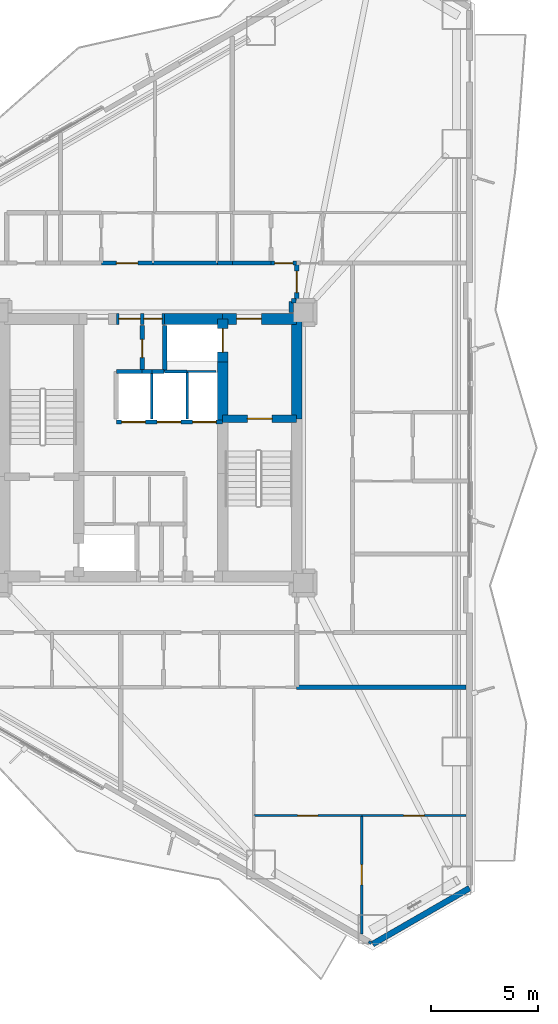
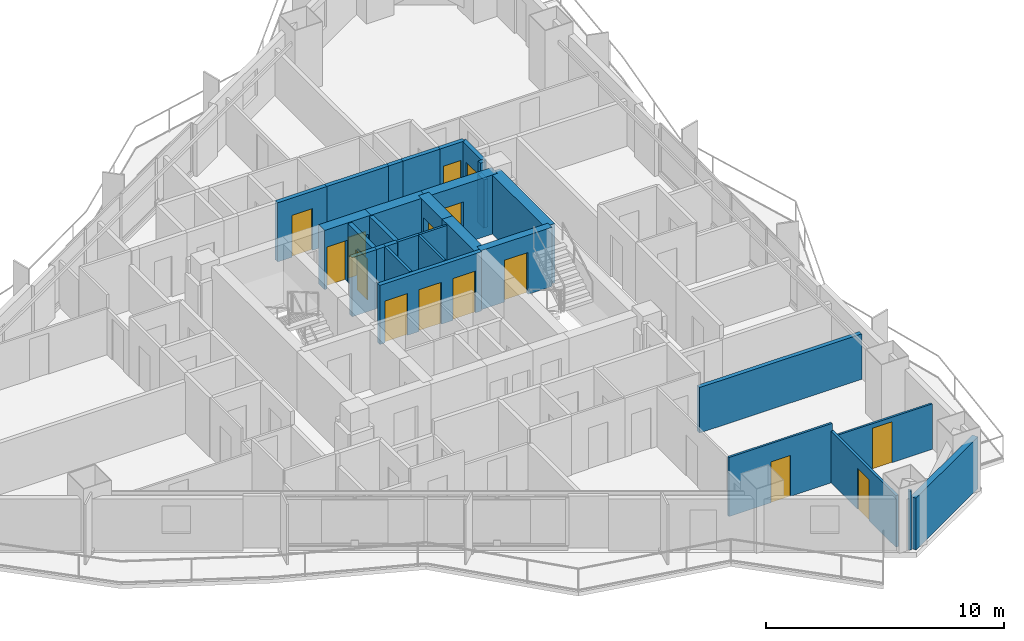
# One storey, part 14 of 18: 31 walls, 15 doors, 15 openings.
"""IFC4 building model written with IfcOpenShell, lengths in metres."""

import ifcopenshell
import ifcopenshell.guid

model = None  # the IFC model being written
_history = None  # IfcOwnerHistory: only IFC2X3 demands one
_inside = {}  # id of a spatial element -> (the spatial element, [elements in it])
_under = {}  # id of a project, library or spatial element -> (it, [spatial elements below it])
_declared = {}  # id of a project -> (the project, [libraries it declares])
_typed = {}  # id of a type object -> (the type object, [elements of that type])
_made_of = {}  # id of a material, layer set ... -> (it, [elements and type objects made of it])


def new_model(schema):
    """Start an empty IFC model of exactly this schema.

    Asked for "IFC4X3", IfcOpenShell would pick the latest addendum, in which some entities
    have other attributes; the version numbers below select the first issue.
    IFC2X3 requires an IfcOwnerHistory on every rooted entity: one is made here for all.
    """
    global model, _history
    if schema == "IFC4X3":
        model = ifcopenshell.file(schema_version=(4, 3, 0, 0))
    else:
        model = ifcopenshell.file(schema=schema)
    _inside.clear()
    _under.clear()
    _declared.clear()
    _typed.clear()
    _made_of.clear()
    _history = None
    if model.schema == "IFC2X3":
        org = make("IfcOrganization", Name="unknown")
        user = make(
            "IfcPersonAndOrganization",
            ThePerson=make("IfcPerson", FamilyName="unknown"),
            TheOrganization=org,
        )
        app = make(
            "IfcApplication",
            ApplicationDeveloper=org,
            Version="unknown",
            ApplicationFullName="unknown",
            ApplicationIdentifier="unknown",
        )
        _history = make(
            "IfcOwnerHistory",
            OwningUser=user,
            OwningApplication=app,
            ChangeAction="ADDED",
            CreationDate=0,
        )
    return model


def make(cls, **values):
    """One entity of the class cls with the attributes given. An attribute that is None is left unset."""
    return model.create_entity(
        cls, **{name: value for name, value in values.items() if value is not None}
    )


def rooted(cls, **values):
    """An entity with a GlobalId (a new one), such as an element, a storey or a relation."""
    return make(cls, GlobalId=ifcopenshell.guid.new(), OwnerHistory=_history, **values)


def si_unit(unit_type, name, prefix=None):
    """IfcSIUnit, for example si_unit("LENGTHUNIT", "METRE", prefix="MILLI")."""
    return make("IfcSIUnit", UnitType=unit_type, Prefix=prefix, Name=name)


def assignment(units):
    """IfcUnitAssignment: the units of a project."""
    return None if units is None else make("IfcUnitAssignment", Units=units)


def point(xyz):
    """IfcCartesianPoint."""
    return None if xyz is None else make("IfcCartesianPoint", Coordinates=xyz)


def direction(xyz):
    """IfcDirection."""
    return None if xyz is None else make("IfcDirection", DirectionRatios=xyz)


def frame(location, z_axis=None, x_axis=None):
    """IfcAxis2Placement3D, a coordinate frame: its origin and axes. An axis left out is left unset."""
    return make(
        "IfcAxis2Placement3D",
        Location=point(location),
        Axis=direction(z_axis),
        RefDirection=direction(x_axis),
    )


def frame_2d(location, x_axis=None):
    """IfcAxis2Placement2D, a coordinate frame in the plane: its origin and x axis."""
    return make(
        "IfcAxis2Placement2D", Location=point(location), RefDirection=direction(x_axis)
    )


def origin():
    """The frame at (0, 0, 0) with its axes left unset."""
    return frame((0.0, 0.0, 0.0))


def place(relative_to, where):
    """IfcLocalPlacement: puts the frame where relative to a parent placement (None: the world)."""
    return make(
        "IfcLocalPlacement", PlacementRelTo=relative_to, RelativePlacement=where
    )


def context(
    kind, dimensions, precision=None, world=None, true_north=None, identifier=None
):
    """IfcGeometricRepresentationContext, for example the 3D "Model" context."""
    return make(
        "IfcGeometricRepresentationContext",
        ContextIdentifier=identifier,
        ContextType=kind,
        CoordinateSpaceDimension=dimensions,
        Precision=precision,
        WorldCoordinateSystem=world,
        TrueNorth=true_north,
    )


def subcontext(parent, identifier, kind, view, scale=None):
    """IfcGeometricRepresentationSubContext, for example "Body" below "Model"."""
    return make(
        "IfcGeometricRepresentationSubContext",
        ContextIdentifier=identifier,
        ContextType=kind,
        ParentContext=parent,
        TargetScale=scale,
        TargetView=view,
    )


def project(units=None, contexts=None):
    """IfcProject with its units and contexts."""
    return rooted(
        "IfcProject",
        Name="project",
        RepresentationContexts=contexts,
        UnitsInContext=assignment(units),
    )


def spatial(cls, under=None, at=None, **own):
    """A site, building, storey or space (cls), placed at a placement, below another one or the project."""
    s = rooted(cls, ObjectPlacement=at, **own)
    if under is not None:
        _under.setdefault(under.id(), (under, []))[1].append(s)
    return s


def profile(cls, at=None, kind="AREA", **sizes):
    """A parametric profile (cls). Its sizes go by their IFC names, for example OverallWidth=200.0."""
    return make(cls, ProfileType=kind, Position=at, **sizes)


def rectangle(**sizes):
    """IfcRectangleProfileDef."""
    return profile("IfcRectangleProfileDef", **sizes)


def extrude(swept, where, along, depth):
    """IfcExtrudedAreaSolid: the profile swept, set in the frame where, extruded along a direction by depth."""
    return make(
        "IfcExtrudedAreaSolid",
        SweptArea=swept,
        Position=where,
        ExtrudedDirection=direction(along),
        Depth=depth,
    )


def shape(context_of_items, identifier, shape_type, items):
    """IfcShapeRepresentation: the items that make up one representation, for example the "Body"."""
    return make(
        "IfcShapeRepresentation",
        ContextOfItems=context_of_items,
        RepresentationIdentifier=identifier,
        RepresentationType=shape_type,
        Items=items,
    )


def material(Name=None, Category=None):
    """IfcMaterial."""
    return make("IfcMaterial", Name=Name, Category=Category)


def layer(
    of_material, thickness, ventilated=None, Name=None, Category=None, Priority=None
):
    """IfcMaterialLayer: one layer of a wall or slab, of a material (None: an air gap)."""
    return make(
        "IfcMaterialLayer",
        Material=of_material,
        LayerThickness=thickness,
        IsVentilated=ventilated,
        Name=Name,
        Category=Category,
        Priority=Priority,
    )


def layer_set(layers, Name=None):
    """IfcMaterialLayerSet."""
    return make("IfcMaterialLayerSet", MaterialLayers=layers, LayerSetName=Name)


def made_of(thing, what):
    """Note that an element or type object is made of a material, layer set ...; save() writes the relation."""
    if what is not None:
        _made_of.setdefault(what.id(), (what, []))[1].append(thing)
    return thing


def type_object(cls, material=None, **own):
    """A type object (cls), such as IfcWallType, which elements share."""
    return made_of(rooted(cls, **own), material)


def element(
    cls,
    number,
    at=None,
    inside=None,
    cuts=None,
    type_object=None,
    material=None,
    context=None,
    identifier="Body",
    shape_type=None,
    held_by="IfcProductDefinitionShape",
    body=None,
    shapes=None,
    **own,
):
    """One element of the class cls, such as IfcWall. Its Tag is "e" and its number.

    at: its placement. inside: the storey or other place that contains it. cuts: it is an
    opening in that element (IfcRelVoidsElement). A single representation is given by context,
    identifier, shape_type and body (its items); several are given by shapes. held_by: the class
    of the entity that holds the representations. save() writes the other relations.
    """
    e = rooted(cls, Tag="e%d" % number, ObjectPlacement=at, **own)
    if body is not None:
        shapes = [shape(context, identifier, shape_type, body)]
    if shapes is not None:
        e.Representation = make(held_by, Representations=shapes)
    if inside is not None:
        _inside.setdefault(inside.id(), (inside, []))[1].append(e)
    if cuts is not None:
        rooted(
            "IfcRelVoidsElement", RelatingBuildingElement=cuts, RelatedOpeningElement=e
        )
    if type_object is not None:
        _typed.setdefault(type_object.id(), (type_object, []))[1].append(e)
    return made_of(e, material)


def fill(opening, filler):
    """IfcRelFillsElement: the door or window that sits in an opening."""
    return rooted(
        "IfcRelFillsElement",
        RelatingOpeningElement=opening,
        RelatedBuildingElement=filler,
    )


def aggregate(whole, parts):
    """IfcRelAggregates: a whole, such as a stair, and the parts it consists of."""
    return rooted("IfcRelAggregates", RelatingObject=whole, RelatedObjects=parts)


def save(model, path):
    """Write the relations noted so far, then the file.

    IfcRelAggregates (storeys below a building ...), IfcRelContainedInSpatialStructure (elements
    in a storey), IfcRelDefinesByType, IfcRelAssociatesMaterial and IfcRelDeclares: one each for
    every whole, place, type object, material and project.
    """
    for whole, parts in _under.values():
        aggregate(whole, parts)
    for where, things in _inside.values():
        rooted(
            "IfcRelContainedInSpatialStructure",
            RelatedElements=things,
            RelatingStructure=where,
        )
    for kind, things in _typed.values():
        rooted("IfcRelDefinesByType", RelatedObjects=things, RelatingType=kind)
    for what, things in _made_of.values():
        rooted("IfcRelAssociatesMaterial", RelatedObjects=things, RelatingMaterial=what)
    for by, libraries in _declared.values():
        rooted("IfcRelDeclares", RelatingContext=by, RelatedDefinitions=libraries)
    model.write(path)


model = new_model("IFC4")

# Units and contexts
model_context = context("Model", 3, precision=1e-05, world=origin(), true_north=direction((0.0, 1.0)))
body_context = subcontext(model_context, "Body", "Model", "MODEL_VIEW")
ifc_project = project(units=[si_unit("LENGTHUNIT", "METRE"), si_unit("AREAUNIT", "SQUARE_METRE"), si_unit("VOLUMEUNIT", "CUBIC_METRE"), si_unit("PLANEANGLEUNIT", "RADIAN"), si_unit("MASSUNIT", "GRAM", prefix="KILO")], contexts=[model_context])

# Site, building, storey
site_placement = place(None, origin())
site = spatial("IfcSite", under=ifc_project, at=site_placement, CompositionType="ELEMENT")
building_placement = place(site_placement, origin())
building = spatial("IfcBuilding", under=site, at=building_placement, Name="Mersakhor Tower and Convention Hall", CompositionType="ELEMENT")
storey_placement = place(building_placement, frame((0.0, 0.0, 52.199951171875)))
storey = spatial("IfcBuildingStorey", under=building, at=storey_placement, Name="L14", CompositionType="ELEMENT", Elevation=52.199951171875)

# Walls
ifc_material_1 = material(Name="Precast concrete C45/55", Category="concrete")
ifc_layer_1 = layer(ifc_material_1, 0.27490234375)
ifc_layer_set_1 = layer_set([ifc_layer_1], Name="Precast concrete C45/55")
wall_type_1 = type_object("IfcWallType", Name="WL-EXT-275", PredefinedType="SOLIDWALL", material=ifc_layer_set_1)
wall_1_placement = place(storey_placement, frame((43.85009765625, 6.240234375, 0.0), z_axis=(0.0, 0.0, 1.0), x_axis=(-0.866043601342, -0.499968479581, 0.0)))
element("IfcWall", 1, at=wall_1_placement, inside=storey, type_object=wall_type_1, Name="L14 Chamfer Braced Spandrel Wall C2", PredefinedType="SOLIDWALL", context=body_context, shape_type="SweptSolid", body=[
    extrude(rectangle(XDim=5.211181640625, YDim=0.27490234375, at=frame_2d((2.60546875, 0.0))), origin(), (0.0, 0.0, 1.0), 2.66015625),
])
ifc_material_2 = material(Name="Lightweight gypsum partition", Category="other")
ifc_layer_2 = layer(ifc_material_2, 0.10009765625)
ifc_layer_set_2 = layer_set([ifc_layer_2], Name="Lightweight gypsum partition")
wall_type_2 = type_object("IfcWallType", Name="WL-PRT-100", PredefinedType="PARTITIONING", material=ifc_layer_set_2)
wall_2_placement = place(storey_placement, frame((32.050048828125, 30.300048828125, 0.0), z_axis=(0.0, 0.0, 1.0), x_axis=(-1.0, 0.0, 0.0)))
element("IfcWall", 2, at=wall_2_placement, inside=storey, type_object=wall_type_2, Name="L14 Interior Partition Wall P-004", PredefinedType="PARTITIONING", context=body_context, shape_type="SweptSolid", body=[
    extrude(rectangle(XDim=1.35009765625, YDim=0.10009765625, at=frame_2d((0.675048828125, 0.0))), origin(), (0.0, 0.0, 1.0), 3.0400390625),
])
wall_3_placement = place(storey_placement, frame((30.699951171875, 30.300048828125, 0.0), z_axis=(0.0, 0.0, 1.0), x_axis=(0.0, -1.0, 0.0)))
element("IfcWall", 3, at=wall_3_placement, inside=storey, type_object=wall_type_2, Name="L14 Interior Partition Wall P-018", PredefinedType="PARTITIONING", context=body_context, shape_type="SweptSolid", body=[
    extrude(rectangle(XDim=2.199951171875, YDim=0.10009765625, at=frame_2d((1.10009765625, 0.0))), origin(), (0.0, 0.0, 1.0), 3.0400390625),
])

# Wall, opening, door
wall_4_placement = place(storey_placement, frame((33.800048828125, 9.6201171875, 0.0), z_axis=(0.0, 0.0, 1.0), x_axis=(1.0, 0.0, 0.0)))
wall_4 = element("IfcWall", 4, at=wall_4_placement, inside=storey, type_object=wall_type_2, Name="L14 Interior Partition Wall P-136", PredefinedType="PARTITIONING", context=body_context, shape_type="SweptSolid", body=[
    extrude(rectangle(XDim=5.030029296875, YDim=0.10009765625, at=frame_2d((2.51513671875, 0.0))), origin(), (0.0, 0.0, 1.0), 3.0400390625),
])
opening_1_placement = place(wall_4_placement, frame((2.0400390625, 0.0, 0.0)))
opening_1 = element("IfcOpeningElement", 5, at=opening_1_placement, cuts=wall_4, Name="Opening RD-01", PredefinedType="OPENING", context=body_context, shape_type="SweptSolid", body=[
    extrude(rectangle(XDim=0.949951171875, YDim=2.10009765625, at=frame_2d((0.47509765625, 1.050048828125))), frame((0.0, 0.06005859375, 0.0), z_axis=(0.0, -1.0, 0.0), x_axis=(1.0, 0.0, 0.0)), (0.0, 0.0, 1.0), 0.1201171875),
])
ifc_material_3 = material(Name="Solid-core hardwood leaf in painted steel frame", Category="steel")
door_type_1 = type_object("IfcDoorType", Name="DR-INT-RM-095x210", OperationType="NOTDEFINED", PredefinedType="DOOR", material=ifc_material_3)
door_1_placement = place(opening_1_placement, origin())
door_1 = element("IfcDoor", 6, at=door_1_placement, inside=storey, type_object=door_type_1, Name="L14 L14 Flat S5 Bedroom 1 to L14 Flat S5 Dining Room Door", OperationType="SINGLE_SWING_RIGHT", OverallHeight=2.10009765625, OverallWidth=0.949951171875, PredefinedType="DOOR", context=body_context, shape_type="SweptSolid", body=[
    extrude(rectangle(XDim=0.949951171875, YDim=2.10009765625, at=frame_2d((0.47509765625, 1.050048828125))), frame((0.0, 0.02490234375, 0.0), z_axis=(0.0, -1.0, 0.0), x_axis=(1.0, 0.0, 0.0)), (0.0, 0.0, 1.0), 0.050048828125),
])
fill(opening_1, door_1)

wall_5_placement = place(storey_placement, frame((38.830078125, 9.6201171875, 0.0), z_axis=(0.0, 0.0, 1.0), x_axis=(1.0, 0.0, 0.0)))
wall_5 = element("IfcWall", 7, at=wall_5_placement, inside=storey, type_object=wall_type_2, Name="L14 Interior Partition Wall P-138", PredefinedType="PARTITIONING", context=body_context, shape_type="SweptSolid", body=[
    extrude(rectangle(XDim=4.8583984375, YDim=0.10009765625, at=frame_2d((2.42919921875, 0.0))), origin(), (0.0, 0.0, 1.0), 2.337646484375),
])
opening_2_placement = place(wall_5_placement, frame((1.9541015625, 0.0, 0.0)))
opening_2 = element("IfcOpeningElement", 8, at=opening_2_placement, cuts=wall_5, Name="Opening RD-01", PredefinedType="OPENING", context=body_context, shape_type="SweptSolid", body=[
    extrude(rectangle(XDim=0.949951171875, YDim=2.10009765625, at=frame_2d((0.47509765625, 1.050048828125))), frame((0.0, 0.06005859375, 0.0), z_axis=(0.0, -1.0, 0.0), x_axis=(1.0, 0.0, 0.0)), (0.0, 0.0, 1.0), 0.1201171875),
])
door_2_placement = place(opening_2_placement, origin())
door_2 = element("IfcDoor", 9, at=door_2_placement, inside=storey, type_object=door_type_1, Name="L14 L14 Flat S5 Study Room to L14 Flat S5 Dining Room Door", OperationType="SINGLE_SWING_LEFT", OverallHeight=2.10009765625, OverallWidth=0.949951171875, PredefinedType="DOOR", context=body_context, shape_type="SweptSolid", body=[
    extrude(rectangle(XDim=0.949951171875, YDim=2.10009765625, at=frame_2d((0.47509765625, 1.050048828125))), frame((0.0, 0.02490234375, 0.0), z_axis=(0.0, -1.0, 0.0), x_axis=(1.0, 0.0, 0.0)), (0.0, 0.0, 1.0), 0.050048828125),
])
fill(opening_2, door_2)

# Walls
ifc_material_4 = material(Name="Gypsum board acoustic partition", Category="other")
ifc_layer_3 = layer(ifc_material_4, 0.125)
ifc_layer_set_3 = layer_set([ifc_layer_3], Name="Gypsum board acoustic partition")
wall_type_3 = type_object("IfcWallType", Name="WL-PRT-125", PredefinedType="PARTITIONING", material=ifc_layer_set_3)
wall_6_placement = place(storey_placement, frame((30.699951171875, 30.300048828125, 0.0), z_axis=(0.0, 0.0, 1.0), x_axis=(-1.0, 0.0, 0.0)))
element("IfcWall", 10, at=wall_6_placement, inside=storey, type_object=wall_type_3, Name="L14 Interior Partition Wall P-005", PredefinedType="PARTITIONING", context=body_context, shape_type="SweptSolid", body=[
    extrude(rectangle(XDim=1.050048828125, YDim=0.125, at=frame_2d((0.52490234375, 0.0))), origin(), (0.0, 0.0, 1.0), 3.0400390625),
])
wall_7_placement = place(storey_placement, frame((29.050048828125, 30.300048828125, 0.0), z_axis=(0.0, 0.0, 1.0), x_axis=(0.0, -1.0, 0.0)))
element("IfcWall", 11, at=wall_7_placement, inside=storey, type_object=wall_type_3, Name="L14 Interior Partition Wall P-015", PredefinedType="PARTITIONING", context=body_context, shape_type="SweptSolid", body=[
    extrude(rectangle(XDim=2.199951171875, YDim=0.125, at=frame_2d((1.10009765625, 0.0))), origin(), (0.0, 0.0, 1.0), 3.0400390625),
])

# Wall, opening, door
wall_8_placement = place(storey_placement, frame((38.830078125, 9.6201171875, 0.0), z_axis=(0.0, 0.0, 1.0), x_axis=(0.0, -1.0, 0.0)))
wall_8 = element("IfcWall", 12, at=wall_8_placement, inside=storey, type_object=wall_type_3, Name="L14 Interior Partition Wall P-137", PredefinedType="PARTITIONING", context=body_context, shape_type="SweptSolid", body=[
    extrude(rectangle(XDim=5.50634765625, YDim=0.125, at=frame_2d((2.753173828125, 0.0))), origin(), (0.0, 0.0, 1.0), 2.650390625),
])
opening_3_placement = place(wall_8_placement, frame((2.278076171875, 0.0, 0.0)))
opening_3 = element("IfcOpeningElement", 13, at=opening_3_placement, cuts=wall_8, Name="Opening RD-01", PredefinedType="OPENING", context=body_context, shape_type="SweptSolid", body=[
    extrude(rectangle(XDim=0.949951171875, YDim=2.10009765625, at=frame_2d((0.47509765625, 1.050048828125))), frame((0.0, 0.072509765625, 0.0), z_axis=(0.0, -1.0, 0.0), x_axis=(1.0, 0.0, 0.0)), (0.0, 0.0, 1.0), 0.14501953125),
])
door_3_placement = place(opening_3_placement, origin())
door_3 = element("IfcDoor", 14, at=door_3_placement, inside=storey, type_object=door_type_1, Name="L14 L14 Flat S5 Bedroom 1 to L14 Flat S5 Study Room Door", OperationType="SINGLE_SWING_LEFT", OverallHeight=2.10009765625, OverallWidth=0.949951171875, PredefinedType="DOOR", context=body_context, shape_type="SweptSolid", body=[
    extrude(rectangle(XDim=0.949951171875, YDim=2.10009765625, at=frame_2d((0.47509765625, 1.050048828125))), frame((0.0, 0.02490234375, 0.0), z_axis=(0.0, -1.0, 0.0), x_axis=(1.0, 0.0, 0.0)), (0.0, 0.0, 1.0), 0.050048828125),
])
fill(opening_3, door_3)

# Wall
wall_9_placement = place(storey_placement, frame((39.2724609375, 3.672119140625, 0.0), z_axis=(0.0, 0.0, 1.0), x_axis=(-0.866442544969, 0.49927679324, 0.0)))
element("IfcWall", 15, at=wall_9_placement, inside=storey, type_object=wall_type_3, Name="L14 Interior Partition Wall P-139", PredefinedType="PARTITIONING", context=body_context, shape_type="SweptSolid", body=[
    extrude(rectangle(XDim=0.142333984375, YDim=0.125, at=frame_2d((0.0712890625, 0.0))), origin(), (0.0, 0.0, 1.0), 3.0400390625),
])

# Wall, openings, doors
ifc_material_5 = material(Name="Acoustic concrete blockwork and gypsum board", Category="masonry")
ifc_layer_4 = layer(ifc_material_5, 0.199951171875)
ifc_layer_set_4 = layer_set([ifc_layer_4], Name="Acoustic concrete blockwork and gypsum board")
wall_type_4 = type_object("IfcWallType", Name="WL-PRT-200", PredefinedType="PARTITIONING", material=ifc_layer_set_4)
wall_10_placement = place(storey_placement, frame((27.39990234375, 27.949951171875, 0.0), z_axis=(0.0, 0.0, 1.0), x_axis=(1.0, 0.0, 0.0)))
wall_10 = element("IfcWall", 16, at=wall_10_placement, inside=storey, type_object=wall_type_4, Name="L14 Low-Rise Lift Bank Front Wall", PredefinedType="PARTITIONING", context=body_context, shape_type="SweptSolid", body=[
    extrude(rectangle(XDim=4.9501953125, YDim=0.199951171875, at=frame_2d((2.47509765625, 0.0))), origin(), (0.0, 0.0, 1.0), 3.0400390625),
])
opening_4_placement = place(wall_10_placement, frame((0.25, 0.0, 0.0)))
opening_4 = element("IfcOpeningElement", 17, at=opening_4_placement, cuts=wall_10, Name="Opening LD-P1", PredefinedType="OPENING", context=body_context, shape_type="SweptSolid", body=[
    extrude(rectangle(XDim=1.10009765625, YDim=2.14990234375, at=frame_2d((0.550048828125, 1.074951171875))), frame((0.0, 0.10986328125, 0.0), z_axis=(0.0, -1.0, 0.0), x_axis=(1.0, 0.0, 0.0)), (0.0, 0.0, 1.0), 0.219970703125),
])
opening_5_placement = place(wall_10_placement, frame((1.89990234375, 0.0, 0.0)))
opening_5 = element("IfcOpeningElement", 18, at=opening_5_placement, cuts=wall_10, Name="Opening LD-P2", PredefinedType="OPENING", context=body_context, shape_type="SweptSolid", body=[
    extrude(rectangle(XDim=1.10009765625, YDim=2.14990234375, at=frame_2d((0.550048828125, 1.074951171875))), frame((0.0, 0.10986328125, 0.0), z_axis=(0.0, -1.0, 0.0), x_axis=(1.0, 0.0, 0.0)), (0.0, 0.0, 1.0), 0.219970703125),
])
opening_6_placement = place(wall_10_placement, frame((3.550048828125, 0.0, 0.0)))
opening_6 = element("IfcOpeningElement", 19, at=opening_6_placement, cuts=wall_10, Name="Opening LD-P3", PredefinedType="OPENING", context=body_context, shape_type="SweptSolid", body=[
    extrude(rectangle(XDim=1.10009765625, YDim=2.14990234375, at=frame_2d((0.550048828125, 1.074951171875))), frame((0.0, 0.10986328125, 0.0), z_axis=(0.0, -1.0, 0.0), x_axis=(1.0, 0.0, 0.0)), (0.0, 0.0, 1.0), 0.219970703125),
])
ifc_material_6 = material(Name="Fire-rated brushed stainless steel sliding landing door", Category="steel")
door_type_2 = type_object("IfcDoorType", Name="DR-LIFT-SLD-110x215", OperationType="NOTDEFINED", PredefinedType="DOOR", material=ifc_material_6)
door_4_placement = place(opening_4_placement, origin())
door_4 = element("IfcDoor", 20, at=door_4_placement, inside=storey, type_object=door_type_2, Name="L14 Lift Landing Door LD-P1", OperationType="SLIDING_TO_LEFT", OverallHeight=2.14990234375, OverallWidth=1.10009765625, PredefinedType="DOOR", context=body_context, shape_type="SweptSolid", body=[
    extrude(rectangle(XDim=1.10009765625, YDim=2.14990234375, at=frame_2d((0.550048828125, 1.074951171875))), frame((0.0, 0.02490234375, 0.0), z_axis=(0.0, -1.0, 0.0), x_axis=(1.0, 0.0, 0.0)), (0.0, 0.0, 1.0), 0.050048828125),
])
fill(opening_4, door_4)
door_5_placement = place(opening_5_placement, origin())
door_5 = element("IfcDoor", 21, at=door_5_placement, inside=storey, type_object=door_type_2, Name="L14 Lift Landing Door LD-P2", OperationType="SLIDING_TO_LEFT", OverallHeight=2.14990234375, OverallWidth=1.10009765625, PredefinedType="DOOR", context=body_context, shape_type="SweptSolid", body=[
    extrude(rectangle(XDim=1.10009765625, YDim=2.14990234375, at=frame_2d((0.550048828125, 1.074951171875))), frame((0.0, 0.02490234375, 0.0), z_axis=(0.0, -1.0, 0.0), x_axis=(1.0, 0.0, 0.0)), (0.0, 0.0, 1.0), 0.050048828125),
])
fill(opening_5, door_5)
door_6_placement = place(opening_6_placement, origin())
door_6 = element("IfcDoor", 22, at=door_6_placement, inside=storey, type_object=door_type_2, Name="L14 Lift Landing Door LD-P3", OperationType="SLIDING_TO_LEFT", OverallHeight=2.14990234375, OverallWidth=1.10009765625, PredefinedType="DOOR", context=body_context, shape_type="SweptSolid", body=[
    extrude(rectangle(XDim=1.10009765625, YDim=2.14990234375, at=frame_2d((0.550048828125, 1.074951171875))), frame((0.0, 0.02490234375, 0.0), z_axis=(0.0, -1.0, 0.0), x_axis=(1.0, 0.0, 0.0)), (0.0, 0.0, 1.0), 0.050048828125),
])
fill(opening_6, door_6)

# Walls
wall_11_placement = place(storey_placement, frame((29.64990234375, 30.300048828125, 0.0), z_axis=(0.0, 0.0, 1.0), x_axis=(0.0, 1.0, 0.0)))
element("IfcWall", 23, at=wall_11_placement, inside=storey, type_object=wall_type_4, Name="L14 Interior Partition Wall P-006", PredefinedType="PARTITIONING", context=body_context, shape_type="SweptSolid", body=[
    extrude(rectangle(XDim=2.14990234375, YDim=0.199951171875, at=frame_2d((1.074951171875, 0.0))), origin(), (0.0, 0.0, 1.0), 3.0400390625),
])
wall_12_placement = place(storey_placement, frame((27.39990234375, 30.300048828125, 0.0), z_axis=(0.0, 0.0, 1.0), x_axis=(1.0, 0.0, 0.0)))
element("IfcWall", 24, at=wall_12_placement, inside=storey, type_object=wall_type_4, Name="L14 Interior Partition Wall P-013", PredefinedType="PARTITIONING", context=body_context, shape_type="SweptSolid", body=[
    extrude(rectangle(XDim=1.2001953125, YDim=0.199951171875, at=frame_2d((0.60009765625, 0.0))), origin(), (0.0, 0.0, 1.0), 3.0400390625),
])
wall_13_placement = place(storey_placement, frame((28.60009765625, 30.300048828125, 0.0), z_axis=(0.0, 0.0, 1.0), x_axis=(1.0, 0.0, 0.0)))
element("IfcWall", 25, at=wall_13_placement, inside=storey, type_object=wall_type_4, Name="L14 Interior Partition Wall P-014", PredefinedType="PARTITIONING", context=body_context, shape_type="SweptSolid", body=[
    extrude(rectangle(XDim=0.449951171875, YDim=0.199951171875, at=frame_2d((0.22509765625, 0.0))), origin(), (0.0, 0.0, 1.0), 3.0400390625),
])
wall_14_placement = place(storey_placement, frame((29.050048828125, 30.300048828125, 0.0), z_axis=(0.0, 0.0, 1.0), x_axis=(1.0, 0.0, 0.0)))
element("IfcWall", 26, at=wall_14_placement, inside=storey, type_object=wall_type_4, Name="L14 Interior Partition Wall P-017", PredefinedType="PARTITIONING", context=body_context, shape_type="SweptSolid", body=[
    extrude(rectangle(XDim=0.570068359375, YDim=0.199951171875, at=frame_2d((0.28515625, 0.0))), origin(), (0.0, 0.0, 1.0), 3.0400390625),
])

# Wall, opening, door
wall_15_placement = place(storey_placement, frame((28.60009765625, 32.449951171875, 0.0), z_axis=(0.0, 0.0, 1.0), x_axis=(0.0, -1.0, 0.0)))
wall_15 = element("IfcWall", 27, at=wall_15_placement, inside=storey, type_object=wall_type_4, Name="L14 Interior Partition Wall P-020", PredefinedType="PARTITIONING", context=body_context, shape_type="SweptSolid", body=[
    extrude(rectangle(XDim=2.14990234375, YDim=0.199951171875, at=frame_2d((1.074951171875, 0.0))), origin(), (0.0, 0.0, 1.0), 3.0400390625),
])
opening_7_placement = place(wall_15_placement, frame((0.64990234375, 0.0, 0.0)))
opening_7 = element("IfcOpeningElement", 28, at=opening_7_placement, cuts=wall_15, Name="Opening SVD-01", PredefinedType="OPENING", context=body_context, shape_type="SweptSolid", body=[
    extrude(rectangle(XDim=0.85009765625, YDim=2.10009765625, at=frame_2d((0.425048828125, 1.050048828125))), frame((0.0, 0.10986328125, 0.0), z_axis=(0.0, -1.0, 0.0), x_axis=(1.0, 0.0, 0.0)), (0.0, 0.0, 1.0), 0.219970703125),
])
ifc_material_7 = material(Name="Fire-rated hardwood leaf and painted steel frame", Category="steel")
door_type_3 = type_object("IfcDoorType", Name="DR-INT-SVC-085x210", OperationType="NOTDEFINED", PredefinedType="DOOR", material=ifc_material_7)
door_7_placement = place(opening_7_placement, origin())
door_7 = element("IfcDoor", 29, at=door_7_placement, inside=storey, type_object=door_type_3, Name="L14 Central Passenger Lift Lobby to Cleaner Store Room Door", OperationType="SINGLE_SWING_RIGHT", OverallHeight=2.10009765625, OverallWidth=0.85009765625, PredefinedType="DOOR", context=body_context, shape_type="SweptSolid", body=[
    extrude(rectangle(XDim=0.85009765625, YDim=2.10009765625, at=frame_2d((0.425048828125, 1.050048828125))), frame((0.0, 0.02490234375, 0.0), z_axis=(0.0, -1.0, 0.0), x_axis=(1.0, 0.0, 0.0)), (0.0, 0.0, 1.0), 0.050048828125),
])
fill(opening_7, door_7)

wall_16_placement = place(storey_placement, frame((26.699951171875, 35.35009765625, 0.0), z_axis=(0.0, 0.0, 1.0), x_axis=(1.0, 0.0, 0.0)))
wall_16 = element("IfcWall", 30, at=wall_16_placement, inside=storey, type_object=wall_type_4, Name="L14 Interior Partition Wall P-044", PredefinedType="PARTITIONING", context=body_context, shape_type="SweptSolid", body=[
    extrude(rectangle(XDim=2.400146484375, YDim=0.199951171875, at=frame_2d((1.2001953125, 0.0))), origin(), (0.0, 0.0, 1.0), 3.0400390625),
])
opening_8_placement = place(wall_16_placement, frame((0.699951171875, 0.0, 0.0)))
opening_8 = element("IfcOpeningElement", 31, at=opening_8_placement, cuts=wall_16, Name="Opening FD-01", PredefinedType="OPENING", context=body_context, shape_type="SweptSolid", body=[
    extrude(rectangle(XDim=1.0, YDim=2.14990234375, at=frame_2d((0.5, 1.074951171875))), frame((0.0, 0.10986328125, 0.0), z_axis=(0.0, -1.0, 0.0), x_axis=(1.0, 0.0, 0.0)), (0.0, 0.0, 1.0), 0.219970703125),
])
ifc_material_8 = material(Name="Fire-rated hardwood leaf and painted steel frame", Category="steel")
door_type_4 = type_object("IfcDoorType", Name="DR-INT-FLT-100x215", OperationType="NOTDEFINED", PredefinedType="DOOR", material=ifc_material_8)
door_8_placement = place(opening_8_placement, origin())
door_8 = element("IfcDoor", 32, at=door_8_placement, inside=storey, type_object=door_type_4, Name="L14 Apartment Entrance Door (Residential Ring Corridor to L14 Flat N2 Apartment Hall)", OperationType="SINGLE_SWING_LEFT", OverallHeight=2.14990234375, OverallWidth=1.0, PredefinedType="DOOR", context=body_context, shape_type="SweptSolid", body=[
    extrude(rectangle(XDim=1.0, YDim=2.14990234375, at=frame_2d((0.5, 1.074951171875))), frame((0.0, 0.02490234375, 0.0), z_axis=(0.0, -1.0, 0.0), x_axis=(1.0, 0.0, 0.0)), (0.0, 0.0, 1.0), 0.050048828125),
])
fill(opening_8, door_8)

# Walls
wall_17_placement = place(storey_placement, frame((29.10009765625, 35.35009765625, 0.0), z_axis=(0.0, 0.0, 1.0), x_axis=(1.0, 0.0, 0.0)))
element("IfcWall", 33, at=wall_17_placement, inside=storey, type_object=wall_type_4, Name="L14 Interior Partition Wall P-045", PredefinedType="PARTITIONING", context=body_context, shape_type="SweptSolid", body=[
    extrude(rectangle(XDim=3.0, YDim=0.199951171875, at=frame_2d((1.5, 0.0))), origin(), (0.0, 0.0, 1.0), 3.0400390625),
])
wall_18_placement = place(storey_placement, frame((32.10009765625, 35.35009765625, 0.0), z_axis=(0.0, 0.0, 1.0), x_axis=(1.0, 0.0, 0.0)))
element("IfcWall", 34, at=wall_18_placement, inside=storey, type_object=wall_type_4, Name="L14 Interior Partition Wall P-046", PredefinedType="PARTITIONING", context=body_context, shape_type="SweptSolid", body=[
    extrude(rectangle(XDim=0.699951171875, YDim=0.199951171875, at=frame_2d((0.35009765625, 0.0))), origin(), (0.0, 0.0, 1.0), 3.0400390625),
])
wall_19_placement = place(storey_placement, frame((32.800048828125, 35.35009765625, 0.0), z_axis=(0.0, 0.0, 1.0), x_axis=(1.0, 0.0, 0.0)))
element("IfcWall", 35, at=wall_19_placement, inside=storey, type_object=wall_type_4, Name="L14 Interior Partition Wall P-047", PredefinedType="PARTITIONING", context=body_context, shape_type="SweptSolid", body=[
    extrude(rectangle(XDim=1.800048828125, YDim=0.199951171875, at=frame_2d((0.89990234375, 0.0))), origin(), (0.0, 0.0, 1.0), 3.0400390625),
])

# Wall, opening, door
wall_20_placement = place(storey_placement, frame((34.60009765625, 35.35009765625, 0.0), z_axis=(0.0, 0.0, 1.0), x_axis=(1.0, 0.0, 0.0)))
wall_20 = element("IfcWall", 36, at=wall_20_placement, inside=storey, type_object=wall_type_4, Name="L14 Interior Partition Wall P-048", PredefinedType="PARTITIONING", context=body_context, shape_type="SweptSolid", body=[
    extrude(rectangle(XDim=1.199951171875, YDim=0.199951171875, at=frame_2d((0.60009765625, 0.0))), origin(), (0.0, 0.0, 1.0), 3.0400390625),
])
opening_9_placement = place(wall_20_placement, frame((0.175048828125, 0.0, 0.0)))
opening_9 = element("IfcOpeningElement", 37, at=opening_9_placement, cuts=wall_20, Name="Opening SVD-01", PredefinedType="OPENING", context=body_context, shape_type="SweptSolid", body=[
    extrude(rectangle(XDim=0.85009765625, YDim=2.10009765625, at=frame_2d((0.425048828125, 1.050048828125))), frame((0.0, 0.10986328125, 0.0), z_axis=(0.0, -1.0, 0.0), x_axis=(1.0, 0.0, 0.0)), (0.0, 0.0, 1.0), 0.219970703125),
])
door_9_placement = place(opening_9_placement, origin())
door_9 = element("IfcDoor", 38, at=door_9_placement, inside=storey, type_object=door_type_3, Name="L14 Apartment Entrance Door (Residential Ring Corridor to L14 Flat N3 Apartment Hall)", OperationType="SINGLE_SWING_RIGHT", OverallHeight=2.10009765625, OverallWidth=0.85009765625, PredefinedType="DOOR", context=body_context, shape_type="SweptSolid", body=[
    extrude(rectangle(XDim=0.85009765625, YDim=2.10009765625, at=frame_2d((0.425048828125, 1.050048828125))), frame((0.0, 0.02490234375, 0.0), z_axis=(0.0, -1.0, 0.0), x_axis=(1.0, 0.0, 0.0)), (0.0, 0.0, 1.0), 0.050048828125),
])
fill(opening_9, door_9)

wall_21_placement = place(storey_placement, frame((35.800048828125, 35.35009765625, 0.0), z_axis=(0.0, 0.0, 1.0), x_axis=(0.0, -1.0, 0.0)))
wall_21 = element("IfcWall", 39, at=wall_21_placement, inside=storey, type_object=wall_type_4, Name="L14 Interior Partition Wall P-049", PredefinedType="PARTITIONING", context=body_context, shape_type="SweptSolid", body=[
    extrude(rectangle(XDim=1.75, YDim=0.199951171875, at=frame_2d((0.875, 0.0))), origin(), (0.0, 0.0, 1.0), 3.0400390625),
])
opening_10_placement = place(wall_21_placement, frame((0.375, 0.0, 0.0)))
opening_10 = element("IfcOpeningElement", 40, at=opening_10_placement, cuts=wall_21, Name="Opening FD-01", PredefinedType="OPENING", context=body_context, shape_type="SweptSolid", body=[
    extrude(rectangle(XDim=1.0, YDim=2.14990234375, at=frame_2d((0.5, 1.074951171875))), frame((0.0, 0.10986328125, 0.0), z_axis=(0.0, -1.0, 0.0), x_axis=(1.0, 0.0, 0.0)), (0.0, 0.0, 1.0), 0.219970703125),
])
door_10_placement = place(opening_10_placement, origin())
door_10 = element("IfcDoor", 41, at=door_10_placement, inside=storey, type_object=door_type_4, Name="L14 Ring Corridor Fire Door", OperationType="SINGLE_SWING_RIGHT", OverallHeight=2.14990234375, OverallWidth=1.0, PredefinedType="DOOR", context=body_context, shape_type="SweptSolid", body=[
    extrude(rectangle(XDim=1.0, YDim=2.14990234375, at=frame_2d((0.5, 1.074951171875))), frame((0.0, 0.02490234375, 0.0), z_axis=(0.0, -1.0, 0.0), x_axis=(1.0, 0.0, 0.0)), (0.0, 0.0, 1.0), 0.050048828125),
])
fill(opening_10, door_10)

# Walls
wall_22_placement = place(storey_placement, frame((35.77001953125, 33.60009765625, 0.0), z_axis=(0.0, 0.0, 1.0), x_axis=(-1.0, 0.0, 0.0)))
element("IfcWall", 42, at=wall_22_placement, inside=storey, type_object=wall_type_4, Name="L14 Interior Partition Wall P-050", PredefinedType="PARTITIONING", context=body_context, shape_type="SweptSolid", body=[
    extrude(rectangle(XDim=0.219970703125, YDim=0.199951171875, at=frame_2d((0.10986328125, 0.0))), origin(), (0.0, 0.0, 1.0), 3.0400390625),
])
wall_23_placement = place(storey_placement, frame((35.550048828125, 33.570068359375, 0.0), z_axis=(0.0, 0.0, 1.0), x_axis=(0.0, -1.0, 0.0)))
element("IfcWall", 43, at=wall_23_placement, inside=storey, type_object=wall_type_4, Name="L14 Interior Partition Wall P-051", PredefinedType="PARTITIONING", context=body_context, shape_type="SweptSolid", body=[
    extrude(rectangle(XDim=0.52001953125, YDim=0.199951171875, at=frame_2d((0.260009765625, 0.0))), origin(), (0.0, 0.0, 1.0), 2.48828125),
])
wall_24_placement = place(storey_placement, frame((43.6884765625, 15.60009765625, 0.0), z_axis=(0.0, 0.0, 1.0), x_axis=(-1.0, 0.0, 0.0)))
element("IfcWall", 44, at=wall_24_placement, inside=storey, type_object=wall_type_4, Name="L14 Interior Partition Wall P-125", PredefinedType="PARTITIONING", context=body_context, shape_type="SweptSolid", body=[
    extrude(rectangle(XDim=7.888427734375, YDim=0.199951171875, at=frame_2d((3.9443359375, 0.0))), origin(), (0.0, 0.0, 1.0), 2.337646484375),
])

# Wall, opening, door
ifc_material_9 = material(Name="Concrete C50/60", Category="concrete")
ifc_layer_5 = layer(ifc_material_9, 0.35009765625)
ifc_layer_set_5 = layer_set([ifc_layer_5], Name="Concrete C50/60")
wall_type_5 = type_object("IfcWallType", Name="WL-SHR-350", PredefinedType="SHEAR", material=ifc_layer_set_5)
wall_25_placement = place(storey_placement, frame((32.35009765625, 28.10009765625, 0.0), z_axis=(0.0, 0.0, 1.0), x_axis=(1.0, 0.0, 0.0)))
wall_25 = element("IfcWall", 45, at=wall_25_placement, inside=storey, type_object=wall_type_5, Name="L14 Core Wall CS-ST2-N", PredefinedType="SHEAR", context=body_context, shape_type="SweptSolid", body=[
    extrude(rectangle(XDim=3.449951171875, YDim=0.35009765625, at=frame_2d((1.72509765625, 0.0))), origin(), (0.0, 0.0, 1.0), 3.0400390625),
])
opening_11_placement = place(wall_25_placement, frame((1.14990234375, 0.0, 0.0)))
opening_11 = element("IfcOpeningElement", 46, at=opening_11_placement, cuts=wall_25, Name="Opening SD-01", PredefinedType="OPENING", context=body_context, shape_type="SweptSolid", body=[
    extrude(rectangle(XDim=1.14990234375, YDim=2.14990234375, at=frame_2d((0.574951171875, 1.074951171875))), frame((0.0, 0.18505859375, 0.0), z_axis=(0.0, -1.0, 0.0), x_axis=(1.0, 0.0, 0.0)), (0.0, 0.0, 1.0), 0.3701171875),
])
ifc_material_10 = material(Name="Fire-rated hardwood leaf and painted steel frame", Category="steel")
door_type_5 = type_object("IfcDoorType", Name="DR-INT-STAIR-115x215", OperationType="NOTDEFINED", PredefinedType="DOOR", material=ifc_material_10)
door_11_placement = place(opening_11_placement, origin())
door_11 = element("IfcDoor", 47, at=door_11_placement, inside=storey, type_object=door_type_5, Name="L14 Exit Stair ST-2 Enclosure Door", OperationType="SINGLE_SWING_RIGHT", OverallHeight=2.14990234375, OverallWidth=1.14990234375, PredefinedType="DOOR", context=body_context, shape_type="SweptSolid", body=[
    extrude(rectangle(XDim=1.14990234375, YDim=2.14990234375, at=frame_2d((0.574951171875, 1.074951171875))), frame((0.0, 0.02490234375, 0.0), z_axis=(0.0, -1.0, 0.0), x_axis=(1.0, 0.0, 0.0)), (0.0, 0.0, 1.0), 0.050048828125),
])
fill(opening_11, door_11)

# Wall, openings, doors
ifc_material_11 = material(Name="Concrete C70/85", Category="concrete")
ifc_layer_6 = layer(ifc_material_11, 0.5)
ifc_layer_set_6 = layer_set([ifc_layer_6], Name="Concrete C70/85")
wall_type_6 = type_object("IfcWallType", Name="WL-SHR-500", PredefinedType="SHEAR", material=ifc_layer_set_6)
wall_26_placement = place(storey_placement, frame((27.39990234375, 32.75, 0.0), z_axis=(0.0, 0.0, 1.0), x_axis=(1.0, 0.0, 0.0)))
wall_26 = element("IfcWall", 48, at=wall_26_placement, inside=storey, type_object=wall_type_6, Name="L14 Core Wall CW-N2B", PredefinedType="SHEAR", context=body_context, shape_type="SweptSolid", body=[
    extrude(rectangle(XDim=2.25, YDim=0.5, at=frame_2d((1.125, 0.0))), origin(), (0.0, 0.0, 1.0), 3.0400390625),
])
opening_12_placement = place(wall_26_placement, frame((0.1201171875, 0.0, 0.0)))
opening_12 = element("IfcOpeningElement", 49, at=opening_12_placement, cuts=wall_26, Name="Opening FD-01", PredefinedType="OPENING", context=body_context, shape_type="SweptSolid", body=[
    extrude(rectangle(XDim=1.0, YDim=2.14990234375, at=frame_2d((0.5, 1.074951171875))), frame((0.0, 0.260009765625, 0.0), z_axis=(0.0, -1.0, 0.0), x_axis=(1.0, 0.0, 0.0)), (0.0, 0.0, 1.0), 0.52001953125),
])
opening_13_placement = place(wall_26_placement, frame((1.280029296875, 0.0, 0.0)))
opening_13 = element("IfcOpeningElement", 50, at=opening_13_placement, cuts=wall_26, Name="Opening SVD-01", PredefinedType="OPENING", context=body_context, shape_type="SweptSolid", body=[
    extrude(rectangle(XDim=0.85009765625, YDim=2.10009765625, at=frame_2d((0.425048828125, 1.050048828125))), frame((0.0, 0.260009765625, 0.0), z_axis=(0.0, -1.0, 0.0), x_axis=(1.0, 0.0, 0.0)), (0.0, 0.0, 1.0), 0.52001953125),
])
door_12_placement = place(opening_12_placement, origin())
door_12 = element("IfcDoor", 51, at=door_12_placement, inside=storey, type_object=door_type_4, Name="L14 Central Passenger Lift Lobby to Residential Ring Corridor Door", OperationType="SINGLE_SWING_RIGHT", OverallHeight=2.14990234375, OverallWidth=1.0, PredefinedType="DOOR", context=body_context, shape_type="SweptSolid", body=[
    extrude(rectangle(XDim=1.0, YDim=2.14990234375, at=frame_2d((0.5, 1.074951171875))), frame((0.0, 0.02490234375, 0.0), z_axis=(0.0, -1.0, 0.0), x_axis=(1.0, 0.0, 0.0)), (0.0, 0.0, 1.0), 0.050048828125),
])
fill(opening_12, door_12)
door_13_placement = place(opening_13_placement, origin())
door_13 = element("IfcDoor", 52, at=door_13_placement, inside=storey, type_object=door_type_3, Name="L14 Residential Ring Corridor to Cleaner Store Room Door", OperationType="SINGLE_SWING_RIGHT", OverallHeight=2.10009765625, OverallWidth=0.85009765625, PredefinedType="DOOR", context=body_context, shape_type="SweptSolid", body=[
    extrude(rectangle(XDim=0.85009765625, YDim=2.10009765625, at=frame_2d((0.425048828125, 1.050048828125))), frame((0.0, 0.02490234375, 0.0), z_axis=(0.0, -1.0, 0.0), x_axis=(1.0, 0.0, 0.0)), (0.0, 0.0, 1.0), 0.050048828125),
])
fill(opening_13, door_13)

# Wall
wall_27_placement = place(storey_placement, frame((29.64990234375, 32.75, 0.0), z_axis=(0.0, 0.0, 1.0), x_axis=(1.0, 0.0, 0.0)))
element("IfcWall", 53, at=wall_27_placement, inside=storey, type_object=wall_type_6, Name="L14 Core Wall CW-N3", PredefinedType="SHEAR", context=body_context, shape_type="SweptSolid", body=[
    extrude(rectangle(XDim=2.7001953125, YDim=0.5, at=frame_2d((1.35009765625, 0.0))), origin(), (0.0, 0.0, 1.0), 3.0400390625),
])

# Wall, opening, door
wall_28_placement = place(storey_placement, frame((32.35009765625, 32.75, 0.0), z_axis=(0.0, 0.0, 1.0), x_axis=(1.0, 0.0, 0.0)))
wall_28 = element("IfcWall", 54, at=wall_28_placement, inside=storey, type_object=wall_type_6, Name="L14 Core Wall CW-N4", PredefinedType="SHEAR", context=body_context, shape_type="SweptSolid", body=[
    extrude(rectangle(XDim=3.449951171875, YDim=0.5, at=frame_2d((1.72509765625, 0.0))), origin(), (0.0, 0.0, 1.0), 3.0400390625),
])
opening_14_placement = place(wall_28_placement, frame((0.64990234375, 0.0, 0.0)))
opening_14 = element("IfcOpeningElement", 55, at=opening_14_placement, cuts=wall_28, Name="Opening SD-01", PredefinedType="OPENING", context=body_context, shape_type="SweptSolid", body=[
    extrude(rectangle(XDim=1.14990234375, YDim=2.14990234375, at=frame_2d((0.574951171875, 1.074951171875))), frame((0.0, 0.260009765625, 0.0), z_axis=(0.0, -1.0, 0.0), x_axis=(1.0, 0.0, 0.0)), (0.0, 0.0, 1.0), 0.52001953125),
])
door_14_placement = place(opening_14_placement, origin())
door_14 = element("IfcDoor", 56, at=door_14_placement, inside=storey, type_object=door_type_5, Name="L14 Firefighting Lobby East Fire Door", OperationType="SINGLE_SWING_RIGHT", OverallHeight=2.14990234375, OverallWidth=1.14990234375, PredefinedType="DOOR", context=body_context, shape_type="SweptSolid", body=[
    extrude(rectangle(XDim=1.14990234375, YDim=2.14990234375, at=frame_2d((0.574951171875, 1.074951171875))), frame((0.0, 0.02490234375, 0.0), z_axis=(0.0, -1.0, 0.0), x_axis=(1.0, 0.0, 0.0)), (0.0, 0.0, 1.0), 0.050048828125),
])
fill(opening_14, door_14)

# Walls
wall_29_placement = place(storey_placement, frame((35.800048828125, 32.75, 0.0), z_axis=(0.0, 0.0, 1.0), x_axis=(0.0, -1.0, 0.0)))
element("IfcWall", 57, at=wall_29_placement, inside=storey, type_object=wall_type_6, Name="L14 Core Wall CW-E1", PredefinedType="SHEAR", context=body_context, shape_type="SweptSolid", body=[
    extrude(rectangle(XDim=4.64990234375, YDim=0.5, at=frame_2d((2.324951171875, 0.0))), origin(), (0.0, 0.0, 1.0), 3.0400390625),
])
wall_30_placement = place(storey_placement, frame((32.35009765625, 27.949951171875, 0.0), z_axis=(0.0, 0.0, 1.0), x_axis=(0.0, 1.0, 0.0)))
element("IfcWall", 58, at=wall_30_placement, inside=storey, type_object=wall_type_6, Name="L14 Core Wall CS-E-MID", PredefinedType="SHEAR", context=body_context, shape_type="SweptSolid", body=[
    extrude(rectangle(XDim=2.800048828125, YDim=0.5, at=frame_2d((1.39990234375, 0.0))), origin(), (0.0, 0.0, 1.0), 3.0400390625),
])

# Wall, opening, door
wall_31_placement = place(storey_placement, frame((32.35009765625, 30.75, 0.0), z_axis=(0.0, 0.0, 1.0), x_axis=(0.0, 1.0, 0.0)))
wall_31 = element("IfcWall", 59, at=wall_31_placement, inside=storey, type_object=wall_type_6, Name="L14 Core Wall CS-E-FFL", PredefinedType="SHEAR", context=body_context, shape_type="SweptSolid", body=[
    extrude(rectangle(XDim=2.0, YDim=0.5, at=frame_2d((1.0, 0.0))), origin(), (0.0, 0.0, 1.0), 3.0400390625),
])
opening_15_placement = place(wall_31_placement, frame((0.449951171875, 0.0, 0.0)))
opening_15 = element("IfcOpeningElement", 60, at=opening_15_placement, cuts=wall_31, Name="Opening LD-FFL2", PredefinedType="OPENING", context=body_context, shape_type="SweptSolid", body=[
    extrude(rectangle(XDim=1.10009765625, YDim=2.14990234375, at=frame_2d((0.550048828125, 1.074951171875))), frame((0.0, 0.260009765625, 0.0), z_axis=(0.0, -1.0, 0.0), x_axis=(1.0, 0.0, 0.0)), (0.0, 0.0, 1.0), 0.52001953125),
])
door_15_placement = place(opening_15_placement, origin())
door_15 = element("IfcDoor", 61, at=door_15_placement, inside=storey, type_object=door_type_2, Name="L14 Firefighting Lift Landing Door LD-FFL2", OperationType="SLIDING_TO_LEFT", OverallHeight=2.14990234375, OverallWidth=1.10009765625, PredefinedType="DOOR", context=body_context, shape_type="SweptSolid", body=[
    extrude(rectangle(XDim=1.10009765625, YDim=2.14990234375, at=frame_2d((0.550048828125, 1.074951171875))), frame((0.0, 0.02490234375, 0.0), z_axis=(0.0, -1.0, 0.0), x_axis=(1.0, 0.0, 0.0)), (0.0, 0.0, 1.0), 0.050048828125),
])
fill(opening_15, door_15)

save(model, "model.ifc")
